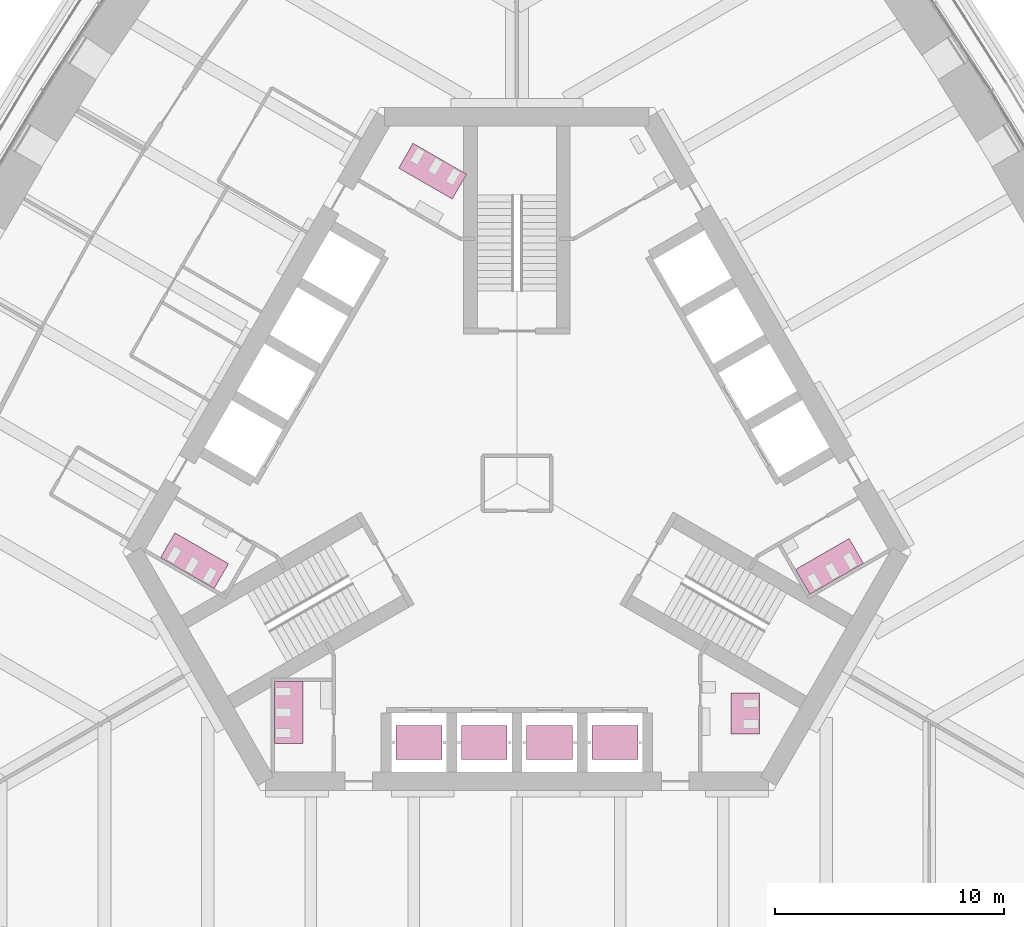
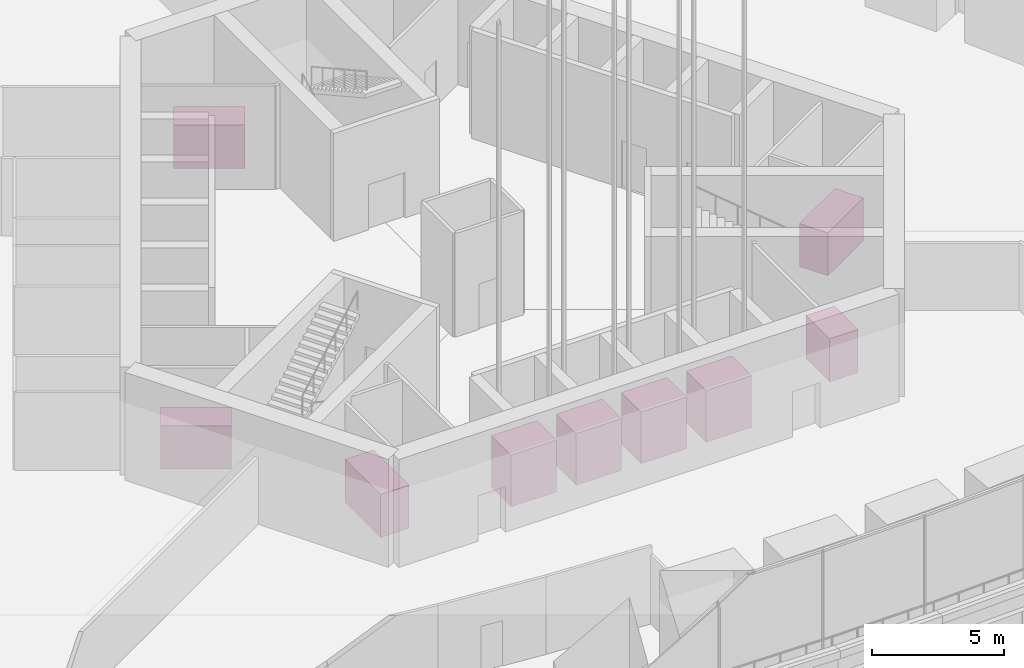
# One storey, part 25 of 33: 5 furniture elements, 4 transport elements.
"""IFC4 building model written with IfcOpenShell, lengths in metres."""

from ifc_helpers import new_model, si_unit, direction, frame, origin, origin_2d, place, context, subcontext, project, spatial, polyline, rectangle, outline, extrude, material, type_object, element, save


model = new_model("IFC4")

# Units and contexts
model_context = context("Model", 3, precision=1e-05, world=origin(), true_north=direction((0.0, 1.0)))
body_context = subcontext(model_context, "Body", "Model", "MODEL_VIEW")
ifc_project = project(units=[si_unit("LENGTHUNIT", "METRE"), si_unit("AREAUNIT", "SQUARE_METRE"), si_unit("VOLUMEUNIT", "CUBIC_METRE"), si_unit("PLANEANGLEUNIT", "RADIAN"), si_unit("MASSUNIT", "GRAM", prefix="KILO")], contexts=[model_context])

# Site, building, storey
site_placement = place(None, origin())
site = spatial("IfcSite", under=ifc_project, at=site_placement, CompositionType="ELEMENT")
building_placement = place(site_placement, origin())
building = spatial("IfcBuilding", under=site, at=building_placement, Name="Trefoil Bronze Tower", CompositionType="ELEMENT")
storey_placement = place(building_placement, frame((0.0, 0.0, 98.10009765625)))
storey = spatial("IfcBuildingStorey", under=building, at=storey_placement, Name="L22", CompositionType="ELEMENT", Elevation=98.10009765625)

# Transport elements
ifc_material_1 = material(Name="Lift car", Category="steel")
transport_element_type = type_object("IfcTransportElementType", Name="Passenger lift 1275", PredefinedType="ELEVATOR", material=ifc_material_1)
for number, where, z_axis, x_axis, name in (
    (1, (-4.27490234375, -11.3125, 0.0), (0.0, 0.0, 1.0), (1.0, 0.0, 0.0), "Lift P21"),
    (2, (-1.425048828125, -11.3125, 0.0), (0.0, 0.0, 1.0), (1.0, 0.0, 0.0), "Lift P22"),
    (3, (1.425048828125, -11.3125, 0.0), (0.0, 0.0, 1.0), (1.0, 0.0, 0.0), "Lift P23"),
    (4, (4.27490234375, -11.3125, 0.0), (0.0, 0.0, 1.0), (1.0, 0.0, 0.0), "Lift P24"),
):
    element("IfcTransportElement", number, at=place(storey_placement, frame(where, z_axis=z_axis, x_axis=x_axis)), inside=storey, type_object=transport_element_type, Name=name, PredefinedType="ELEVATOR", context=body_context, shape_type="SweptSolid", body=[
        extrude(rectangle(XDim=2.0, YDim=1.5, at=origin_2d()), origin(), (0.0, 0.0, 1.0), 2.39990234375),
    ])

# Furniture
ifc_material_2 = material(Name="Compact laminate cubicles", Category="plastic")
furniture_type_1 = type_object("IfcFurnitureType", Name="WC cubicle range 2 cubicles", AssemblyPlace="FACTORY", PredefinedType="USERDEFINED", material=ifc_material_2)
furniture_1_placement = place(storey_placement, origin())
element("IfcFurniture", 5, at=furniture_1_placement, inside=storey, type_object=furniture_type_1, Name="WC cubicle range WC (men) L22", ObjectType="WC cubicle range", PredefinedType="USERDEFINED", context=body_context, shape_type="SweptSolid", body=[
    extrude(outline(polyline([(9.3349609375, -9.14990234375), (10.5849609375, -9.14990234375), (10.5849609375, -10.949951171875), (9.3349609375, -10.949951171875), (9.3349609375, -9.14990234375)])), origin(), (0.0, 0.0, 1.0), 2.0),
])
ifc_material_3 = material(Name="Compact laminate cubicles", Category="plastic")
furniture_type_2 = type_object("IfcFurnitureType", Name="WC cubicle range 3 cubicles", AssemblyPlace="FACTORY", PredefinedType="USERDEFINED", material=ifc_material_3)
furniture_2_placement = place(storey_placement, origin())
element("IfcFurniture", 6, at=furniture_2_placement, inside=storey, type_object=furniture_type_2, Name="WC cubicle range WC (women) L22", ObjectType="WC cubicle range", PredefinedType="USERDEFINED", context=body_context, shape_type="SweptSolid", body=[
    extrude(outline(polyline([(12.15869140625, -3.75927734375), (12.78369140625, -4.841796875), (15.121826171875, -3.491943359375), (14.496826171875, -2.409423828125), (12.15869140625, -3.75927734375)])), origin(), (0.0, 0.0, 1.0), 2.0),
])
furniture_3_placement = place(storey_placement, origin())
element("IfcFurniture", 7, at=furniture_3_placement, inside=storey, type_object=furniture_type_2, Name="WC cubicle range WC (women) L22", ObjectType="WC cubicle range", PredefinedType="USERDEFINED", context=body_context, shape_type="SweptSolid", body=[
    extrude(outline(polyline([(-2.82373046875, 12.409423828125), (-2.19873046875, 13.491943359375), (-4.536865234375, 14.841796875), (-5.161865234375, 13.75927734375), (-2.82373046875, 12.409423828125)])), origin(), (0.0, 0.0, 1.0), 2.0),
])
furniture_4_placement = place(storey_placement, origin())
element("IfcFurniture", 8, at=furniture_4_placement, inside=storey, type_object=furniture_type_2, Name="WC cubicle range WC (men) L22", ObjectType="WC cubicle range", PredefinedType="USERDEFINED", context=body_context, shape_type="SweptSolid", body=[
    extrude(outline(polyline([(-12.591552734375, -3.50927734375), (-13.216552734375, -4.591796875), (-15.554931640625, -3.241943359375), (-14.929931640625, -2.159423828125), (-12.591552734375, -3.50927734375)])), origin(), (0.0, 0.0, 1.0), 2.0),
])
furniture_5_placement = place(storey_placement, origin())
element("IfcFurniture", 9, at=furniture_5_placement, inside=storey, type_object=furniture_type_2, Name="WC cubicle range WC (women) L22", ObjectType="WC cubicle range", PredefinedType="USERDEFINED", context=body_context, shape_type="SweptSolid", body=[
    extrude(outline(polyline([(-9.3349609375, -8.64990234375), (-10.5849609375, -8.64990234375), (-10.5849609375, -11.35009765625), (-9.3349609375, -11.35009765625), (-9.3349609375, -8.64990234375)])), origin(), (0.0, 0.0, 1.0), 2.0),
])

save(model, "model.ifc")
